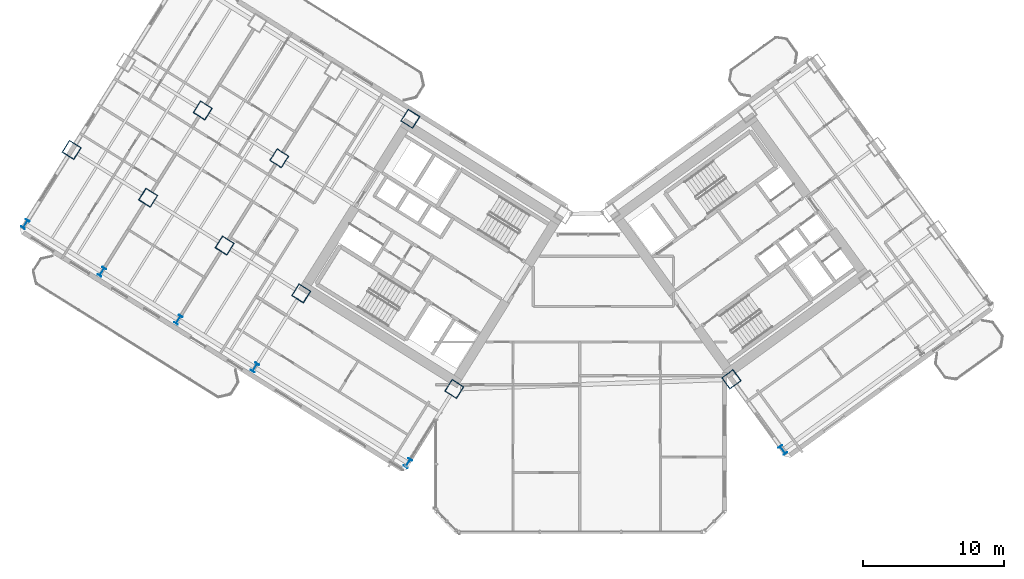
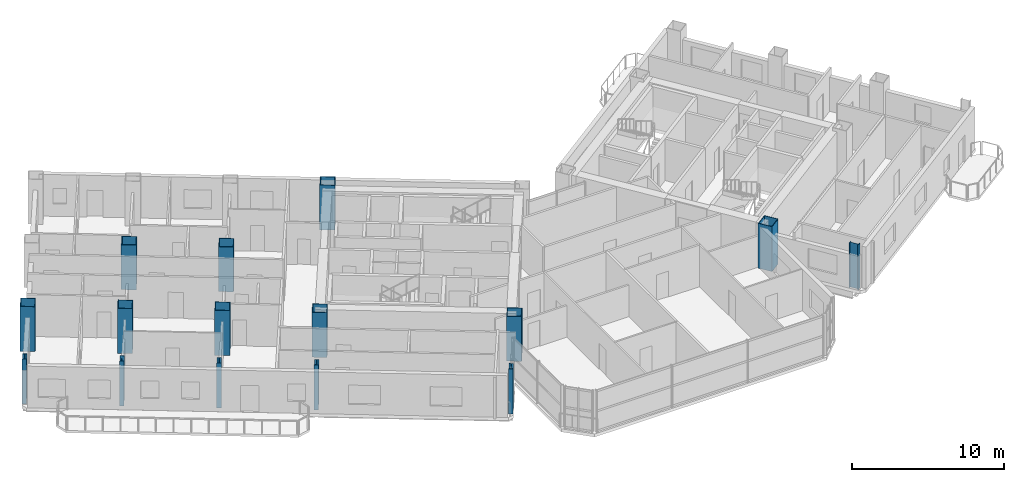
# One storey, part 1 of 24: 15 columns.
"""IFC4 building model written with IfcOpenShell, lengths in metres."""

from ifc_helpers import new_model, si_unit, direction, frame, origin, origin_2d, place, context, subcontext, project, spatial, hollow_rectangle, i_section, extrude, source, transform, mapped, material, material_profile, profile_set, type_object, element, save


model = new_model("IFC4")

# Units and contexts
model_context = context("Model", 3, precision=1e-05, world=origin(), true_north=direction((0.0, 1.0)))
body_context = subcontext(model_context, "Body", "Model", "MODEL_VIEW")
ifc_project = project(units=[si_unit("LENGTHUNIT", "METRE"), si_unit("AREAUNIT", "SQUARE_METRE"), si_unit("VOLUMEUNIT", "CUBIC_METRE"), si_unit("PLANEANGLEUNIT", "RADIAN"), si_unit("MASSUNIT", "GRAM", prefix="KILO")], contexts=[model_context])

# Site, building, storey
site_placement = place(None, origin())
site = spatial("IfcSite", under=ifc_project, at=site_placement, CompositionType="ELEMENT")
building_placement = place(site_placement, origin())
building = spatial("IfcBuilding", under=site, at=building_placement, Name="Tlacorven Tower", CompositionType="ELEMENT")
storey_placement = place(building_placement, frame((0.0, 0.0, 45.60009765625)))
storey = spatial("IfcBuildingStorey", under=building, at=storey_placement, Name="L11", CompositionType="ELEMENT", Elevation=45.60009765625)

# Columns
ifc_material = material(Name="Steel S460M", Category="steel")
ifc_material_profile_1 = material_profile(ifc_material, hollow_rectangle(XDim=1.0, YDim=1.0, WallThickness=0.0400390625, at=origin_2d()), Name="BOX 1000X1000X40")
ifc_profile_set_1 = profile_set([ifc_material_profile_1], Name="Steel S460M")
column_type_1 = type_object("IfcColumnType", Name="COL-TWR-S1", PredefinedType="COLUMN", material=ifc_profile_set_1)
shared_shape_1 = source(origin(), body_context, "Body", "SweptSolid", [
    extrude(hollow_rectangle(XDim=1.0, YDim=1.0, WallThickness=0.0400390625, at=origin_2d()), origin(), (0.0, 0.0, 1.0), 3.599853515625),
])
for number, where, z_axis, x_axis, name in (
    (1, (33.046142578125, 12.0869140625, 0.0), (0.0, 0.0, 1.0), (-0.848048096156, 0.529919264233, 0.0), "L11 column COL-L11-W1-3"),
    (2, (29.927978515625, 31.25146484375, 0.0), (0.0, 0.0, 1.0), (-0.848048096156, 0.529919264233, 0.0), "L11 column COL-L11-W3-1"),
    (3, (22.191162109375, 18.869873046875, 0.0), (0.0, 0.0, 1.0), (-0.848048096156, 0.529919264233, 0.0), "L11 column COL-L11-W3-3"),
    (4, (20.632080078125, 28.4521484375, 0.0), (0.0, 0.0, 1.0), (-0.848048096156, 0.529919264233, 0.0), "L11 column COL-L11-W4-2"),
    (5, (16.763671875, 22.26123046875, 0.0), (0.0, 0.0, 1.0), (-0.848048096156, 0.529919264233, 0.0), "L11 column COL-L11-W4-3"),
    (6, (15.20458984375, 31.843505859375, 0.0), (0.0, 0.0, 1.0), (-0.848048096156, 0.529919264233, 0.0), "L11 column COL-L11-W5-2"),
    (7, (11.336181640625, 25.65283203125, 0.0), (0.0, 0.0, 1.0), (-0.848048096156, 0.529919264233, 0.0), "L11 column COL-L11-W5-3"),
    (8, (5.90869140625, 29.044189453125, 0.0), (0.0, 0.0, 1.0), (-0.848048096156, 0.529919264233, 0.0), "L11 column COL-L11-W6-3"),
    (9, (52.705322265625, 12.7734375, 0.0), (0.0, 0.0, 1.0), (0.809016994375, 0.587785252292, 0.0), "L11 column COL-L11-E1-2"),
):
    element("IfcColumn", number, at=place(storey_placement, frame(where, z_axis=z_axis, x_axis=x_axis)), inside=storey, type_object=column_type_1, Name=name, PredefinedType="COLUMN", context=body_context, shape_type="MappedRepresentation", body=[
        mapped(shared_shape_1, transform((0.0, 0.0, 0.0), scale=1.0)),
    ])
ifc_material_profile_2 = material_profile(ifc_material, i_section(OverallWidth=0.300048828125, OverallDepth=0.64990234375, WebThickness=0.01611328125, FlangeThickness=0.031005859375, at=origin_2d()), Name="HEB 650")
ifc_profile_set_2 = profile_set([ifc_material_profile_2], Name="Steel S460M")
column_type_2 = type_object("IfcColumnType", Name="COL-TWR-P1", PredefinedType="COLUMN", material=ifc_profile_set_2)
shared_shape_2 = source(origin(), body_context, "Body", "SweptSolid", [
    extrude(i_section(OverallWidth=0.300048828125, OverallDepth=0.64990234375, WebThickness=0.01611328125, FlangeThickness=0.031005859375, at=origin_2d()), origin(), (0.0, 0.0, 1.0), 3.599853515625),
])
for number, where, z_axis, x_axis, name in (
    (10, (29.7607421875, 6.8291015625, 0.0), (0.0, 0.0, 1.0), (-0.848048096156, 0.529919264233, 0.0), "L11 column COL-L11-W1-4"),
    (11, (18.905517578125, 13.612060546875, 0.0), (0.0, 0.0, 1.0), (-0.848048096156, 0.529919264233, 0.0), "L11 column COL-L11-W3-4"),
    (12, (13.47802734375, 17.00341796875, 0.0), (0.0, 0.0, 1.0), (-0.848048096156, 0.529919264233, 0.0), "L11 column COL-L11-W4-4"),
    (13, (8.050537109375, 20.39501953125, 0.0), (0.0, 0.0, 1.0), (-0.848048096156, 0.529919264233, 0.0), "L11 column COL-L11-W5-4"),
    (14, (2.623046875, 23.786376953125, 0.0), (0.0, 0.0, 1.0), (-0.848048096156, 0.529919264233, 0.0), "L11 column COL-L11-W6-4"),
    (15, (56.349609375, 7.757568359375, 0.0), (0.0, 0.0, 1.0), (0.809016994375, 0.587785252292, 0.0), "L11 column COL-L11-E1-1"),
):
    element("IfcColumn", number, at=place(storey_placement, frame(where, z_axis=z_axis, x_axis=x_axis)), inside=storey, type_object=column_type_2, Name=name, PredefinedType="COLUMN", context=body_context, shape_type="MappedRepresentation", body=[
        mapped(shared_shape_2, transform((0.0, 0.0, 0.0), scale=1.0)),
    ])

save(model, "model.ifc")
